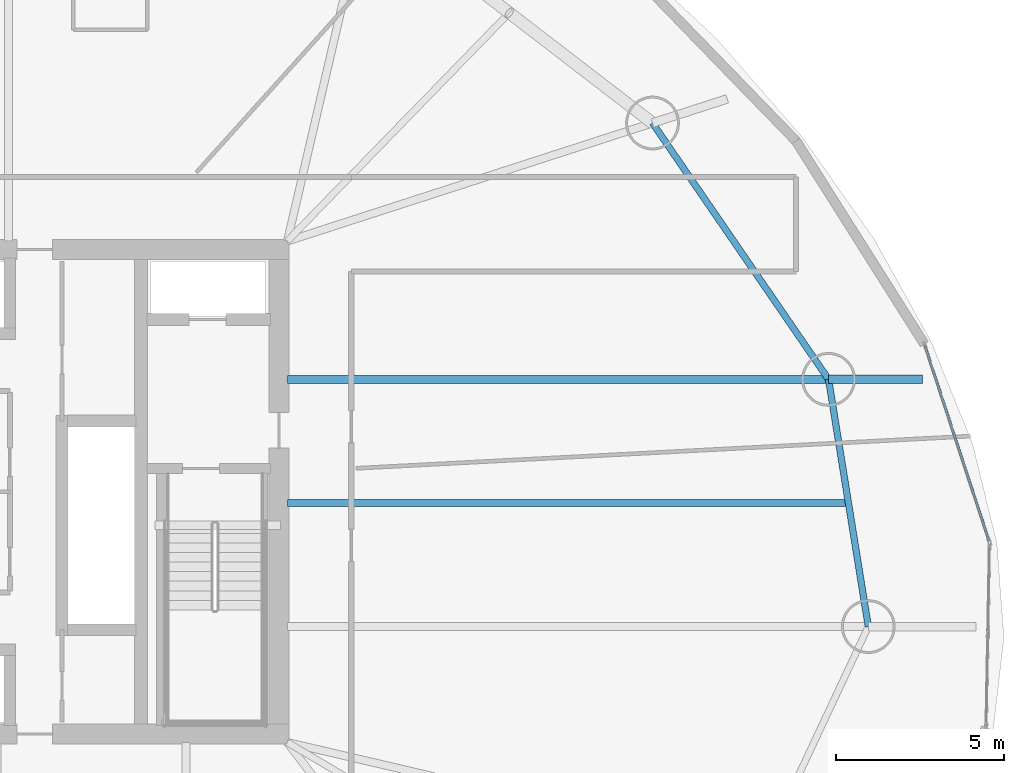
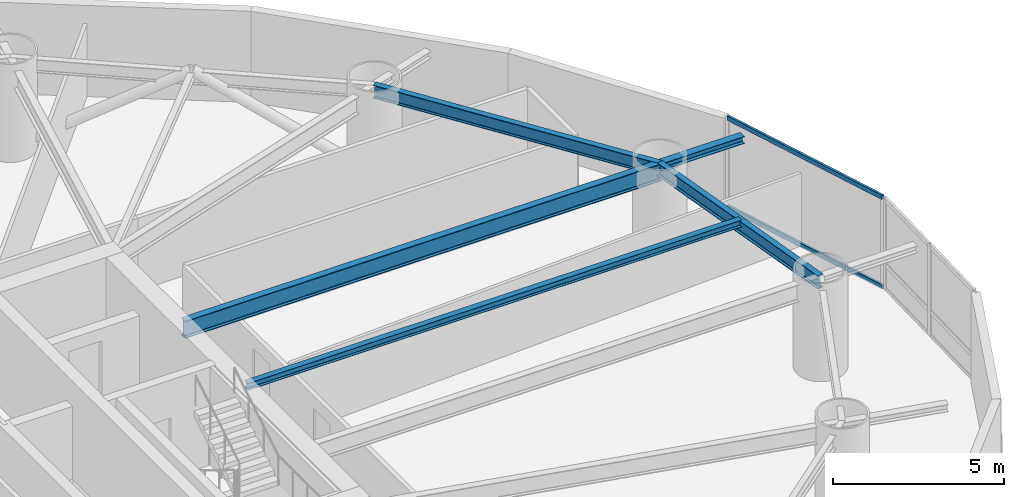
# One storey, part 11 of 24: 5 beams, 2 members, 1 element without a shape of its own.
"""IFC4 building model written with IfcOpenShell, lengths in metres."""

from ifc_helpers import new_model, si_unit, direction, frame, origin, origin_2d, place, context, subcontext, project, spatial, hollow_rectangle, i_section, extrude, material, layer, layer_set, material_profile, profile_set, type_object, element, aggregate, save


model = new_model("IFC4")

# Units and contexts
model_context = context("Model", 3, precision=1e-05, world=origin(), true_north=direction((0.0, 1.0)))
body_context = subcontext(model_context, "Body", "Model", "MODEL_VIEW")
ifc_project = project(units=[si_unit("LENGTHUNIT", "METRE"), si_unit("AREAUNIT", "SQUARE_METRE"), si_unit("VOLUMEUNIT", "CUBIC_METRE"), si_unit("PLANEANGLEUNIT", "RADIAN"), si_unit("MASSUNIT", "GRAM", prefix="KILO")], contexts=[model_context])

# Site, building, storey
site_placement = place(None, origin())
site = spatial("IfcSite", under=ifc_project, at=site_placement, CompositionType="ELEMENT")
building_placement = place(site_placement, origin())
building = spatial("IfcBuilding", under=site, at=building_placement, Name="Bramvorn Convention Spire", CompositionType="ELEMENT")
storey_placement = place(building_placement, frame((0.0, 0.0, 83.39990234375)))
storey = spatial("IfcBuildingStorey", under=building, at=storey_placement, Name="L19", CompositionType="ELEMENT", Elevation=83.39990234375)

# Beams
ifc_material_1 = material(Name="Steel CSA G40.21 Grade 350 (350W)", Category="steel")
ifc_material_profile_1 = material_profile(ifc_material_1, i_section(OverallWidth=0.201904296875, OverallDepth=0.2470703125, WebThickness=0.00732421875, FlangeThickness=0.010986328125, FilletRadius=0.011962890625, at=origin_2d()))
ifc_profile_set_1 = profile_set([ifc_material_profile_1], Name="Steel CSA G40.21 Grade 350 (350W) - W250X49")
beam_type_1 = type_object("IfcBeamType", Name="BM-W250X49", PredefinedType="JOIST", material=ifc_profile_set_1)
beam_1_placement = place(storey_placement, frame((49.25, 25.666015625, 3.126708984375), z_axis=(1.0, 0.0, 0.0), x_axis=(0.0, 1.0, 0.0)))
element("IfcBeam", 1, at=beam_1_placement, inside=storey, type_object=beam_type_1, Name="L19 composite floor joist 01", PredefinedType="JOIST", context=body_context, shape_type="SweptSolid", body=[
    extrude(i_section(OverallWidth=0.201904296875, OverallDepth=0.2470703125, WebThickness=0.00732421875, FlangeThickness=0.010986328125, FilletRadius=0.011962890625, at=origin_2d()), origin(), (0.0, 0.0, 1.0), 16.67919921875),
])
ifc_material_profile_2 = material_profile(ifc_material_1, i_section(OverallWidth=0.25390625, OverallDepth=0.2529296875, WebThickness=0.008544921875, FlangeThickness=0.01416015625, FilletRadius=0.011962890625, at=origin_2d()))
ifc_profile_set_2 = profile_set([ifc_material_profile_2], Name="Steel CSA G40.21 Grade 350 (350W) - W250X73")
beam_type_2 = type_object("IfcBeamType", Name="BM-W250X73", PredefinedType="BEAM", material=ifc_profile_set_2)
beam_2_placement = place(storey_placement, frame((65.338623046875, 29.340087890625, 3.12353515625), z_axis=(1.0, 0.0, 0.0), x_axis=(0.0, 1.0, 0.0)))
element("IfcBeam", 2, at=beam_2_placement, inside=storey, type_object=beam_type_2, Name="L19 slab-edge cantilever tip beam MC02", PredefinedType="BEAM", context=body_context, shape_type="SweptSolid", body=[
    extrude(i_section(OverallWidth=0.25390625, OverallDepth=0.2529296875, WebThickness=0.008544921875, FlangeThickness=0.01416015625, FilletRadius=0.011962890625, at=origin_2d()), origin(), (0.0, 0.0, 1.0), 2.7919921875),
])
ifc_material_profile_3 = material_profile(ifc_material_1, i_section(OverallWidth=0.194091796875, OverallDepth=0.468994140625, WebThickness=0.0126953125, FlangeThickness=0.0205078125, FilletRadius=0.01806640625, at=origin_2d()))
ifc_profile_set_3 = profile_set([ifc_material_profile_3], Name="Steel CSA G40.21 Grade 350 (350W) - W460X106")
beam_type_3 = type_object("IfcBeamType", Name="BM-W460X106", PredefinedType="SPANDREL", material=ifc_profile_set_3)
beam_3_placement = place(storey_placement, frame((66.519775390625, 21.99169921875, 3.015625), z_axis=(-0.158699222824, 0.987326975563, 0.0), x_axis=(-0.987326975563, -0.158699222824, 0.0)))
element("IfcBeam", 3, at=beam_3_placement, inside=storey, type_object=beam_type_3, Name="L19 mega-column ring beam 01", PredefinedType="SPANDREL", context=body_context, shape_type="SweptSolid", body=[
    extrude(i_section(OverallWidth=0.194091796875, OverallDepth=0.468994140625, WebThickness=0.0126953125, FlangeThickness=0.0205078125, FilletRadius=0.01806640625, at=origin_2d()), origin(), (0.0, 0.0, 1.0), 7.442626953125),
])
beam_4_placement = place(storey_placement, frame((65.338623046875, 29.340087890625, 3.015625), z_axis=(-0.566129730789, 0.824316157743, 0.0), x_axis=(-0.824316157743, -0.566129730789, 0.0)))
element("IfcBeam", 4, at=beam_4_placement, inside=storey, type_object=beam_type_3, Name="L19 mega-column ring beam 02", PredefinedType="SPANDREL", context=body_context, shape_type="SweptSolid", body=[
    extrude(i_section(OverallWidth=0.194091796875, OverallDepth=0.468994140625, WebThickness=0.0126953125, FlangeThickness=0.0205078125, FilletRadius=0.01806640625, at=origin_2d()), origin(), (0.0, 0.0, 1.0), 9.244140625),
])
ifc_material_profile_4 = material_profile(ifc_material_1, i_section(OverallWidth=0.22998046875, OverallDepth=0.616943359375, WebThickness=0.01318359375, FlangeThickness=0.022216796875, FilletRadius=0.02001953125, at=origin_2d()))
ifc_profile_set_4 = profile_set([ifc_material_profile_4], Name="Steel CSA G40.21 Grade 350 (350W) - W610X140")
beam_type_4 = type_object("IfcBeamType", Name="BM-W610X140", PredefinedType="BEAM", material=ifc_profile_set_4)
beam_5_placement = place(storey_placement, frame((49.25, 29.340087890625, 2.941650390625), z_axis=(1.0, 0.0, 0.0), x_axis=(0.0, 1.0, 0.0)))
element("IfcBeam", 5, at=beam_5_placement, inside=storey, type_object=beam_type_4, Name="L19 radial floor girder MC02", PredefinedType="BEAM", context=body_context, shape_type="SweptSolid", body=[
    extrude(i_section(OverallWidth=0.22998046875, OverallDepth=0.616943359375, WebThickness=0.01318359375, FlangeThickness=0.022216796875, FilletRadius=0.02001953125, at=origin_2d()), origin(), (0.0, 0.0, 1.0), 16.088623046875),
])

# Curtain wall, members
ifc_material_2 = material(Name="Anodised Bronze Unitised Curtain Wall", Category="aluminium")
ifc_layer = layer(ifc_material_2, 0.179931640625)
ifc_layer_set = layer_set([ifc_layer], Name="Anodised Bronze Unitised Curtain Wall - CW-HTL-FRIT")
curtain_wall_type = type_object("IfcCurtainWallType", Name="CW-HTL-FRIT", PredefinedType="USERDEFINED", material=ifc_layer_set)
curtain_wall_placement = place(storey_placement, origin())
curtain_wall = element("IfcCurtainWall", 6, at=curtain_wall_placement, inside=storey, type_object=curtain_wall_type, Name="L19 fritted glass curtain wall 02", ObjectType="UNITISED CURTAIN WALL", PredefinedType="USERDEFINED")
ifc_material_3 = material(Name="Anodised Bronze Aluminium 6063-T6", Category="aluminium")
ifc_material_profile_5 = material_profile(ifc_material_3, hollow_rectangle(XDim=0.080078125, YDim=0.159912109375, WallThickness=0.00390625, InnerFilletRadius=0.0009765625, OuterFilletRadius=0.00390625, at=origin_2d()))
ifc_profile_set_5 = profile_set([ifc_material_profile_5], Name="Anodised Bronze Aluminium 6063-T6 - CWT80X160")
member_type = type_object("IfcMemberType", Name="CW-TRN-150", PredefinedType="USERDEFINED", material=ifc_profile_set_5)
member_1_placement = place(storey_placement, frame((68.204833984375, 30.330810546875, 0.030029296875), z_axis=(0.311824121703, -0.950139840826, 0.0), x_axis=(0.950139840826, 0.311824121703, 0.0)))
member_1 = element("IfcMember", 7, at=member_1_placement, type_object=member_type, Name="CW2 transom 1.1", ObjectType="TRANSOM", PredefinedType="USERDEFINED", context=body_context, shape_type="SweptSolid", body=[
    extrude(hollow_rectangle(XDim=0.080078125, YDim=0.159912109375, WallThickness=0.00390625, InnerFilletRadius=0.0009765625, OuterFilletRadius=0.00390625, at=origin_2d()), origin(), (0.0, 0.0, 1.0), 6.092041015625),
])
member_2_placement = place(storey_placement, frame((68.204833984375, 30.330810546875, 3.22021484375), z_axis=(0.311824121703, -0.950139840826, 0.0), x_axis=(0.950139840826, 0.311824121703, 0.0)))
member_2 = element("IfcMember", 8, at=member_2_placement, type_object=member_type, Name="CW2 transom 1.2", ObjectType="TRANSOM", PredefinedType="USERDEFINED", context=body_context, shape_type="SweptSolid", body=[
    extrude(hollow_rectangle(XDim=0.080078125, YDim=0.159912109375, WallThickness=0.00390625, InnerFilletRadius=0.0009765625, OuterFilletRadius=0.00390625, at=origin_2d()), origin(), (0.0, 0.0, 1.0), 6.092041015625),
])
aggregate(curtain_wall, [member_1, member_2])

save(model, "model.ifc")
